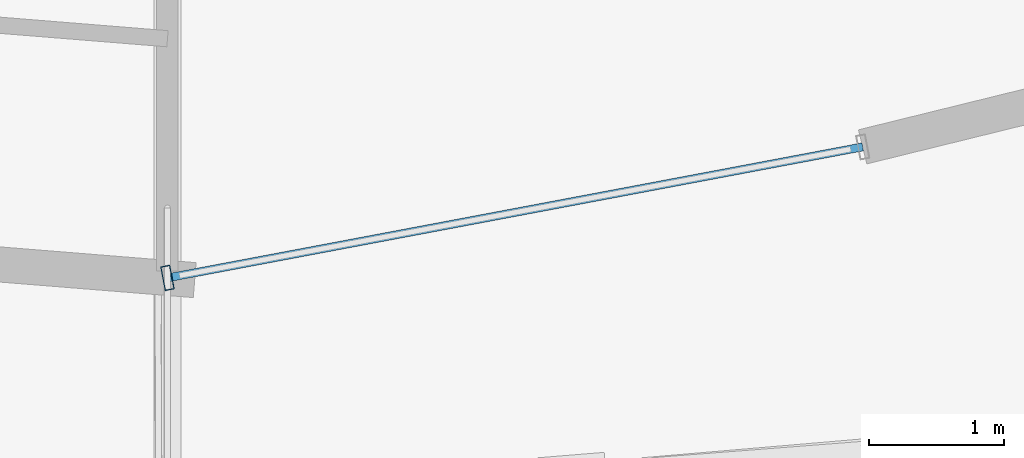
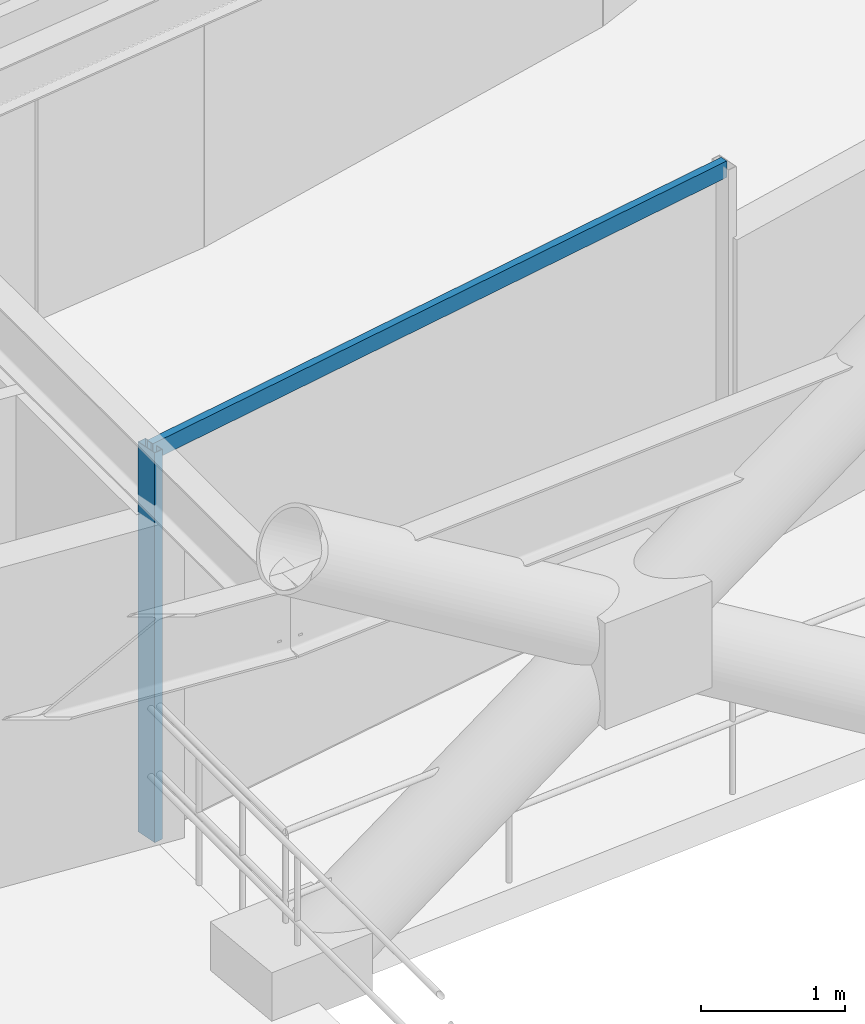
# One storey, part 2 of 14: 2 members, 1 element without a shape of its own.
"""IFC4 building model written with IfcOpenShell, lengths in metres."""

from ifc_helpers import new_model, si_unit, direction, frame, origin, origin_2d, place, context, subcontext, project, spatial, hollow_rectangle, extrude, material, layer, layer_set, material_profile, profile_set, type_object, element, aggregate, save


model = new_model("IFC4")

# Units and contexts
model_context = context("Model", 3, precision=1e-05, world=origin(), true_north=direction((0.0, 1.0)))
body_context = subcontext(model_context, "Body", "Model", "MODEL_VIEW")
ifc_project = project(units=[si_unit("LENGTHUNIT", "METRE"), si_unit("AREAUNIT", "SQUARE_METRE"), si_unit("VOLUMEUNIT", "CUBIC_METRE"), si_unit("PLANEANGLEUNIT", "RADIAN"), si_unit("MASSUNIT", "GRAM", prefix="KILO")], contexts=[model_context])

# Site, building, storey
site_placement = place(None, origin())
site = spatial("IfcSite", under=ifc_project, at=site_placement, CompositionType="ELEMENT")
building_placement = place(site_placement, origin())
building = spatial("IfcBuilding", under=site, at=building_placement, Name="Veldorina Hangang Commons", CompositionType="ELEMENT")
storey_placement = place(building_placement, frame((0.0, 0.0, 88.0)))
storey = spatial("IfcBuildingStorey", under=building, at=storey_placement, Name="L22", CompositionType="ELEMENT", Elevation=88.0)

# Curtain wall, members
ifc_material_1 = material(Name="Glass Low-E Triple IGU", Category="glass")
ifc_layer = layer(ifc_material_1, 0.179931640625)
ifc_layer_set = layer_set([ifc_layer], Name="Glass Low-E Triple IGU")
curtain_wall_type = type_object("IfcCurtainWallType", Name="CW-SYS-Z1", PredefinedType="NOTDEFINED", material=ifc_layer_set)
curtain_wall_placement = place(storey_placement, origin())
curtain_wall = element("IfcCurtainWall", 1, at=curtain_wall_placement, inside=storey, type_object=curtain_wall_type, Name="L22 unitised curtain wall CW-L22-R1", PredefinedType="NOTDEFINED")
ifc_material_2 = material(Name="Aluminium Anodized AA6063-T6", Category="aluminium")
ifc_material_profile_1 = material_profile(ifc_material_2, hollow_rectangle(XDim=0.070068359375, YDim=0.179931640625, WallThickness=0.00390625, at=origin_2d()), Name="ALU-RHS-180x70x4")
ifc_profile_set_1 = profile_set([ifc_material_profile_1], Name="Aluminium Anodized AA6063-T6")
member_type_1 = type_object("IfcMemberType", Name="CW-MUL-180", PredefinedType="MULLION", material=ifc_profile_set_1)
member_1_placement = place(storey_placement, frame((32.0, 1.993896484375, 0.0), z_axis=(0.0, 0.0, 1.0), x_axis=(0.982690482187, 0.185255003223, 0.0)))
member_1 = element("IfcMember", 2, at=member_1_placement, type_object=member_type_1, Name="CW-L22-R1 vertical mullion 1", PredefinedType="MULLION", context=body_context, shape_type="SweptSolid", body=[
    extrude(hollow_rectangle(XDim=0.070068359375, YDim=0.179931640625, WallThickness=0.00390625, at=origin_2d()), origin(), (0.0, 0.0, 1.0), 3.300048828125),
])
ifc_material_profile_2 = material_profile(ifc_material_2, hollow_rectangle(XDim=0.06005859375, YDim=0.139892578125, WallThickness=0.00341796875, at=origin_2d()), Name="ALU-RHS-140x60x3.5")
ifc_profile_set_2 = profile_set([ifc_material_profile_2], Name="Aluminium Anodized AA6063-T6")
member_type_2 = type_object("IfcMemberType", Name="CW-TRN-140", PredefinedType="USERDEFINED", material=ifc_profile_set_2)
member_2_placement = place(storey_placement, frame((32.0, 1.993896484375, 3.260009765625), z_axis=(0.982696343835, 0.18522390724, 0.0), x_axis=(-0.18522390724, 0.982696343835, 0.0)))
member_2 = element("IfcMember", 3, at=member_2_placement, type_object=member_type_2, Name="CW-L22-R1 facet 1 transom 1", ObjectType="TRANSOM", PredefinedType="USERDEFINED", context=body_context, shape_type="SweptSolid", body=[
    extrude(hollow_rectangle(XDim=0.06005859375, YDim=0.139892578125, WallThickness=0.00341796875, at=origin_2d()), origin(), (0.0, 0.0, 1.0), 5.247314453125),
])
aggregate(curtain_wall, [member_1, member_2])

save(model, "model.ifc")
